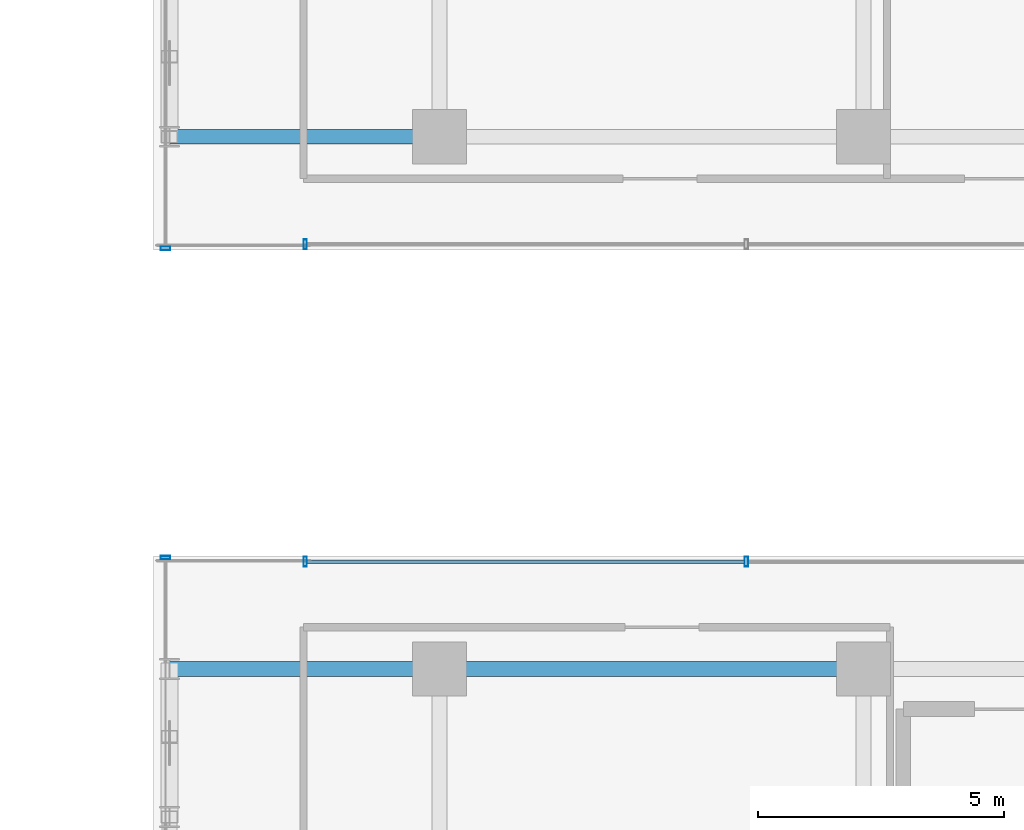
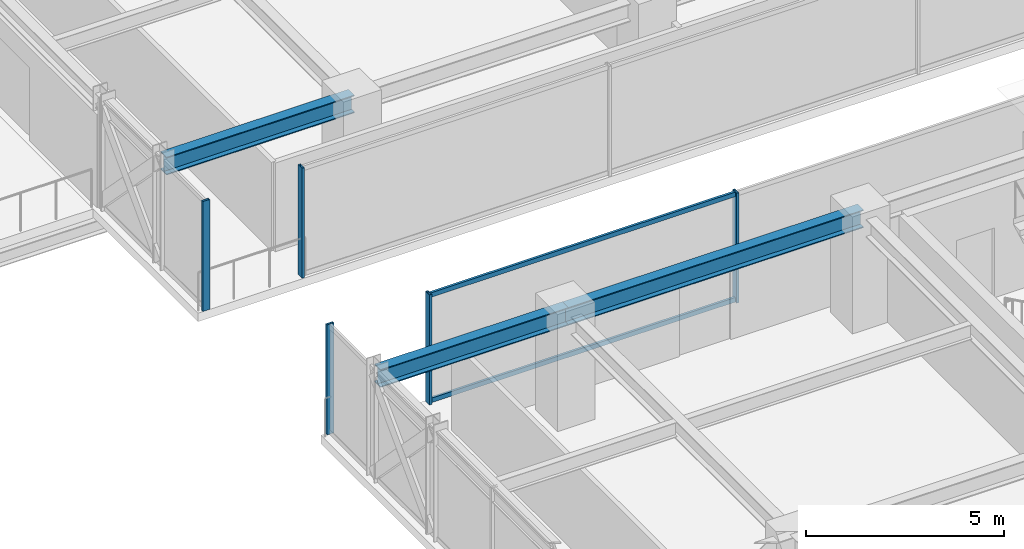
# One storey, part 8 of 37: 7 members, 3 beams, 4 elements without a shape of their own.
"""IFC4 building model written with IfcOpenShell, lengths in metres."""

import ifcopenshell
import ifcopenshell.guid

model = None  # the IFC model being written
_history = None  # IfcOwnerHistory: only IFC2X3 demands one
_inside = {}  # id of a spatial element -> (the spatial element, [elements in it])
_under = {}  # id of a project, library or spatial element -> (it, [spatial elements below it])
_declared = {}  # id of a project -> (the project, [libraries it declares])
_typed = {}  # id of a type object -> (the type object, [elements of that type])
_made_of = {}  # id of a material, layer set ... -> (it, [elements and type objects made of it])


def new_model(schema):
    """Start an empty IFC model of exactly this schema.

    Asked for "IFC4X3", IfcOpenShell would pick the latest addendum, in which some entities
    have other attributes; the version numbers below select the first issue.
    IFC2X3 requires an IfcOwnerHistory on every rooted entity: one is made here for all.
    """
    global model, _history
    if schema == "IFC4X3":
        model = ifcopenshell.file(schema_version=(4, 3, 0, 0))
    else:
        model = ifcopenshell.file(schema=schema)
    _inside.clear()
    _under.clear()
    _declared.clear()
    _typed.clear()
    _made_of.clear()
    _history = None
    if model.schema == "IFC2X3":
        org = make("IfcOrganization", Name="unknown")
        user = make(
            "IfcPersonAndOrganization",
            ThePerson=make("IfcPerson", FamilyName="unknown"),
            TheOrganization=org,
        )
        app = make(
            "IfcApplication",
            ApplicationDeveloper=org,
            Version="unknown",
            ApplicationFullName="unknown",
            ApplicationIdentifier="unknown",
        )
        _history = make(
            "IfcOwnerHistory",
            OwningUser=user,
            OwningApplication=app,
            ChangeAction="ADDED",
            CreationDate=0,
        )
    return model


def make(cls, **values):
    """One entity of the class cls with the attributes given. An attribute that is None is left unset."""
    return model.create_entity(
        cls, **{name: value for name, value in values.items() if value is not None}
    )


def rooted(cls, **values):
    """An entity with a GlobalId (a new one), such as an element, a storey or a relation."""
    return make(cls, GlobalId=ifcopenshell.guid.new(), OwnerHistory=_history, **values)


def si_unit(unit_type, name, prefix=None):
    """IfcSIUnit, for example si_unit("LENGTHUNIT", "METRE", prefix="MILLI")."""
    return make("IfcSIUnit", UnitType=unit_type, Prefix=prefix, Name=name)


def assignment(units):
    """IfcUnitAssignment: the units of a project."""
    return None if units is None else make("IfcUnitAssignment", Units=units)


def point(xyz):
    """IfcCartesianPoint."""
    return None if xyz is None else make("IfcCartesianPoint", Coordinates=xyz)


def direction(xyz):
    """IfcDirection."""
    return None if xyz is None else make("IfcDirection", DirectionRatios=xyz)


def frame(location, z_axis=None, x_axis=None):
    """IfcAxis2Placement3D, a coordinate frame: its origin and axes. An axis left out is left unset."""
    return make(
        "IfcAxis2Placement3D",
        Location=point(location),
        Axis=direction(z_axis),
        RefDirection=direction(x_axis),
    )


def frame_2d(location, x_axis=None):
    """IfcAxis2Placement2D, a coordinate frame in the plane: its origin and x axis."""
    return make(
        "IfcAxis2Placement2D", Location=point(location), RefDirection=direction(x_axis)
    )


def origin():
    """The frame at (0, 0, 0) with its axes left unset."""
    return frame((0.0, 0.0, 0.0))


def origin_2d():
    """The frame at (0, 0) in the plane with its x axis left unset."""
    return frame_2d((0.0, 0.0))


def place(relative_to, where):
    """IfcLocalPlacement: puts the frame where relative to a parent placement (None: the world)."""
    return make(
        "IfcLocalPlacement", PlacementRelTo=relative_to, RelativePlacement=where
    )


def context(
    kind, dimensions, precision=None, world=None, true_north=None, identifier=None
):
    """IfcGeometricRepresentationContext, for example the 3D "Model" context."""
    return make(
        "IfcGeometricRepresentationContext",
        ContextIdentifier=identifier,
        ContextType=kind,
        CoordinateSpaceDimension=dimensions,
        Precision=precision,
        WorldCoordinateSystem=world,
        TrueNorth=true_north,
    )


def subcontext(parent, identifier, kind, view, scale=None):
    """IfcGeometricRepresentationSubContext, for example "Body" below "Model"."""
    return make(
        "IfcGeometricRepresentationSubContext",
        ContextIdentifier=identifier,
        ContextType=kind,
        ParentContext=parent,
        TargetScale=scale,
        TargetView=view,
    )


def project(units=None, contexts=None):
    """IfcProject with its units and contexts."""
    return rooted(
        "IfcProject",
        Name="project",
        RepresentationContexts=contexts,
        UnitsInContext=assignment(units),
    )


def spatial(cls, under=None, at=None, **own):
    """A site, building, storey or space (cls), placed at a placement, below another one or the project."""
    s = rooted(cls, ObjectPlacement=at, **own)
    if under is not None:
        _under.setdefault(under.id(), (under, []))[1].append(s)
    return s


def profile(cls, at=None, kind="AREA", **sizes):
    """A parametric profile (cls). Its sizes go by their IFC names, for example OverallWidth=200.0."""
    return make(cls, ProfileType=kind, Position=at, **sizes)


def hollow_rectangle(**sizes):
    """IfcRectangleHollowProfileDef."""
    return profile("IfcRectangleHollowProfileDef", **sizes)


def i_section(**sizes):
    """IfcIShapeProfileDef."""
    return profile("IfcIShapeProfileDef", **sizes)


def extrude(swept, where, along, depth):
    """IfcExtrudedAreaSolid: the profile swept, set in the frame where, extruded along a direction by depth."""
    return make(
        "IfcExtrudedAreaSolid",
        SweptArea=swept,
        Position=where,
        ExtrudedDirection=direction(along),
        Depth=depth,
    )


def shape(context_of_items, identifier, shape_type, items):
    """IfcShapeRepresentation: the items that make up one representation, for example the "Body"."""
    return make(
        "IfcShapeRepresentation",
        ContextOfItems=context_of_items,
        RepresentationIdentifier=identifier,
        RepresentationType=shape_type,
        Items=items,
    )


def source(mapping_origin, context_of_items, identifier, shape_type, items):
    """IfcRepresentationMap: a shape defined once, which mapped items show again and again."""
    return make(
        "IfcRepresentationMap",
        MappingOrigin=mapping_origin,
        MappedRepresentation=shape(context_of_items, identifier, shape_type, items),
    )


def transform(
    local_origin,
    x_axis=None,
    y_axis=None,
    z_axis=None,
    scale=None,
    scale2=None,
    scale3=None,
    uniform=True,
):
    """IfcCartesianTransformationOperator3D, or its non-uniform kind. x_axis, y_axis, z_axis: its Axis1, 2, 3."""
    if uniform:
        return make(
            "IfcCartesianTransformationOperator3D",
            Axis1=direction(x_axis),
            Axis2=direction(y_axis),
            LocalOrigin=point(local_origin),
            Scale=scale,
            Axis3=direction(z_axis),
        )
    return make(
        "IfcCartesianTransformationOperator3DnonUniform",
        Axis1=direction(x_axis),
        Axis2=direction(y_axis),
        LocalOrigin=point(local_origin),
        Scale=scale,
        Axis3=direction(z_axis),
        Scale2=scale2,
        Scale3=scale3,
    )


def mapped(mapping_source, mapping_target):
    """IfcMappedItem: shows the shape of a source again, moved by a transform."""
    return make(
        "IfcMappedItem", MappingSource=mapping_source, MappingTarget=mapping_target
    )


def material(Name=None, Category=None):
    """IfcMaterial."""
    return make("IfcMaterial", Name=Name, Category=Category)


def material_profile(
    of_material, cross_section, Name=None, Category=None, Priority=None
):
    """IfcMaterialProfile: a cross section and its material."""
    return make(
        "IfcMaterialProfile",
        Name=Name,
        Material=of_material,
        Profile=cross_section,
        Priority=Priority,
        Category=Category,
    )


def profile_set(profiles, Name=None, composite=None):
    """IfcMaterialProfileSet."""
    return make(
        "IfcMaterialProfileSet",
        Name=Name,
        MaterialProfiles=profiles,
        CompositeProfile=composite,
    )


def made_of(thing, what):
    """Note that an element or type object is made of a material, layer set ...; save() writes the relation."""
    if what is not None:
        _made_of.setdefault(what.id(), (what, []))[1].append(thing)
    return thing


def type_object(cls, material=None, **own):
    """A type object (cls), such as IfcWallType, which elements share."""
    return made_of(rooted(cls, **own), material)


def element(
    cls,
    number,
    at=None,
    inside=None,
    cuts=None,
    type_object=None,
    material=None,
    context=None,
    identifier="Body",
    shape_type=None,
    held_by="IfcProductDefinitionShape",
    body=None,
    shapes=None,
    **own,
):
    """One element of the class cls, such as IfcWall. Its Tag is "e" and its number.

    at: its placement. inside: the storey or other place that contains it. cuts: it is an
    opening in that element (IfcRelVoidsElement). A single representation is given by context,
    identifier, shape_type and body (its items); several are given by shapes. held_by: the class
    of the entity that holds the representations. save() writes the other relations.
    """
    e = rooted(cls, Tag="e%d" % number, ObjectPlacement=at, **own)
    if body is not None:
        shapes = [shape(context, identifier, shape_type, body)]
    if shapes is not None:
        e.Representation = make(held_by, Representations=shapes)
    if inside is not None:
        _inside.setdefault(inside.id(), (inside, []))[1].append(e)
    if cuts is not None:
        rooted(
            "IfcRelVoidsElement", RelatingBuildingElement=cuts, RelatedOpeningElement=e
        )
    if type_object is not None:
        _typed.setdefault(type_object.id(), (type_object, []))[1].append(e)
    return made_of(e, material)


def aggregate(whole, parts):
    """IfcRelAggregates: a whole, such as a stair, and the parts it consists of."""
    return rooted("IfcRelAggregates", RelatingObject=whole, RelatedObjects=parts)


def save(model, path):
    """Write the relations noted so far, then the file.

    IfcRelAggregates (storeys below a building ...), IfcRelContainedInSpatialStructure (elements
    in a storey), IfcRelDefinesByType, IfcRelAssociatesMaterial and IfcRelDeclares: one each for
    every whole, place, type object, material and project.
    """
    for whole, parts in _under.values():
        aggregate(whole, parts)
    for where, things in _inside.values():
        rooted(
            "IfcRelContainedInSpatialStructure",
            RelatedElements=things,
            RelatingStructure=where,
        )
    for kind, things in _typed.values():
        rooted("IfcRelDefinesByType", RelatedObjects=things, RelatingType=kind)
    for what, things in _made_of.values():
        rooted("IfcRelAssociatesMaterial", RelatedObjects=things, RelatingMaterial=what)
    for by, libraries in _declared.values():
        rooted("IfcRelDeclares", RelatingContext=by, RelatedDefinitions=libraries)
    model.write(path)


model = new_model("IFC4")

# Units and contexts
model_context = context("Model", 3, precision=1e-05, world=origin(), true_north=direction((0.0, 1.0)))
body_context = subcontext(model_context, "Body", "Model", "MODEL_VIEW")
ifc_project = project(units=[si_unit("LENGTHUNIT", "METRE"), si_unit("AREAUNIT", "SQUARE_METRE"), si_unit("VOLUMEUNIT", "CUBIC_METRE"), si_unit("PLANEANGLEUNIT", "RADIAN"), si_unit("MASSUNIT", "GRAM", prefix="KILO")], contexts=[model_context])

# Site, building, storey
site_placement = place(None, origin())
site = spatial("IfcSite", under=ifc_project, at=site_placement, CompositionType="ELEMENT")
building_placement = place(site_placement, origin())
building = spatial("IfcBuilding", under=site, at=building_placement, Name="Nahalor Promenade Grand Hotel", CompositionType="ELEMENT")
storey_placement = place(building_placement, frame((0.0, 0.0, 167.25)))
storey = spatial("IfcBuildingStorey", under=building, at=storey_placement, Name="L42", CompositionType="ELEMENT", Elevation=167.25)

# Beams
ifc_material_1 = material(Name="Steel S355JR", Category="steel")
ifc_material_profile_1 = material_profile(ifc_material_1, i_section(OverallWidth=0.3, OverallDepth=0.55, WebThickness=0.015, FlangeThickness=0.029, at=origin_2d()), Name="HEB 550")
ifc_profile_set_1 = profile_set([ifc_material_profile_1], Name="Steel S355JR")
beam_type = type_object("IfcBeamType", Name="Beam-Girder-HEB550", PredefinedType="BEAM", material=ifc_profile_set_1)
shared_shape_1 = source(origin(), body_context, "Body", "SweptSolid", [
    extrude(i_section(OverallWidth=0.3, OverallDepth=0.55, WebThickness=0.015, FlangeThickness=0.029, at=origin_2d()), origin(), (0.0, 0.0, 1.0), 8.60009765625),
])
beam_placement = place(storey_placement, frame((-17.0, -5.39990234375, 3.114990234375), z_axis=(1.0, 0.0, 0.0), x_axis=(0.0, 1.0, 0.0)))
element("IfcBeam", 1, at=beam_placement, inside=storey, type_object=beam_type, Name="BM-L42-GX-1-1", PredefinedType="BEAM", context=body_context, shape_type="MappedRepresentation", body=[
    mapped(shared_shape_1, transform((0.0, 0.0, 0.0), scale=1.0)),
])
shared_shape_2 = source(origin(), body_context, "Body", "SweptSolid", [
    extrude(i_section(OverallWidth=0.3, OverallDepth=0.55, WebThickness=0.015, FlangeThickness=0.029, at=origin_2d()), origin(), (0.0, 0.0, 1.0), 5.47998046875),
])
for number, where, z_axis, x_axis, name in (
    (2, (-22.47998046875, -5.39990234375, 3.114990234375), (1.0, 0.0, 0.0), (0.0, 1.0, 0.0), "BM-L42-GX-1-0"),
    (3, (-22.47998046875, 5.39990234375, 3.114990234375), (1.0, 0.0, 0.0), (0.0, 1.0, 0.0), "BM-L42-GX-2-0"),
):
    element("IfcBeam", number, at=place(storey_placement, frame(where, z_axis=z_axis, x_axis=x_axis)), inside=storey, type_object=beam_type, Name=name, PredefinedType="BEAM", context=body_context, shape_type="MappedRepresentation", body=[
        mapped(shared_shape_2, transform((0.0, 0.0, 0.0), scale=1.0)),
    ])

# Curtain wall, members
ifc_material_2 = material(Name="Anodised Bronze Aluminium EN AW-6063 T6", Category="aluminium")
curtain_wall_type = type_object("IfcCurtainWallType", Name="CW3 Elliptical-Void Collar Unitised Curtain Wall", PredefinedType="USERDEFINED", material=ifc_material_2)
curtain_wall_1_placement = place(storey_placement, origin())
curtain_wall_1 = element("IfcCurtainWall", 4, at=curtain_wall_1_placement, inside=storey, type_object=curtain_wall_type, Name="L42 Curtain Wall CW-L42-VOID-WS1", ObjectType="UNITISED_CURTAIN_WALL", PredefinedType="USERDEFINED")
ifc_material_profile_2 = material_profile(ifc_material_2, hollow_rectangle(XDim=0.07, YDim=0.14, WallThickness=0.004, at=origin_2d()), Name="CWT 70x140x4")
ifc_profile_set_2 = profile_set([ifc_material_profile_2], Name="Anodised Bronze Aluminium EN AW-6063 T6")
member_type_1 = type_object("IfcMemberType", Name="CWT3 Void Collar Transom 70x140", PredefinedType="USERDEFINED", material=ifc_profile_set_2)
shared_shape_3 = source(origin(), body_context, "Body", "SweptSolid", [
    extrude(hollow_rectangle(XDim=0.07, YDim=0.14, WallThickness=0.004, at=origin_2d()), origin(), (0.0, 0.0, 1.0), 8.881591796875),
])
member_1_placement = place(storey_placement, frame((-19.68994140625, -3.219970703125, 0.070068359375), z_axis=(1.0, 0.0, 0.0), x_axis=(0.0, 1.0, 0.0)))
member_1 = element("IfcMember", 5, at=member_1_placement, type_object=member_type_1, Name="CW-L42-VOID-WS1 Transom 0-0", ObjectType="TRANSOM", PredefinedType="USERDEFINED", context=body_context, shape_type="MappedRepresentation", body=[
    mapped(shared_shape_3, transform((0.0, 0.0, 0.0), scale=1.0)),
])
member_2_placement = place(storey_placement, frame((-19.68994140625, -3.219970703125, 3.320068359375), z_axis=(1.0, 0.0, 0.0), x_axis=(0.0, 1.0, 0.0)))
member_2 = element("IfcMember", 6, at=member_2_placement, type_object=member_type_1, Name="CW-L42-VOID-WS1 Transom 0-1", ObjectType="TRANSOM", PredefinedType="USERDEFINED", context=body_context, shape_type="MappedRepresentation", body=[
    mapped(shared_shape_3, transform((0.0, 0.0, 0.0), scale=1.0)),
])

# Curtain wall, member
curtain_wall_2_placement = place(storey_placement, origin())
curtain_wall_2 = element("IfcCurtainWall", 7, at=curtain_wall_2_placement, inside=storey, type_object=curtain_wall_type, Name="L42 Curtain Wall CW-L42-W-1", ObjectType="UNITISED_CURTAIN_WALL", PredefinedType="USERDEFINED")
ifc_material_profile_3 = material_profile(ifc_material_2, hollow_rectangle(XDim=0.07, YDim=0.2, WallThickness=0.005, at=origin_2d()), Name="CWM 70x200x5")
ifc_profile_set_3 = profile_set([ifc_material_profile_3], Name="Anodised Bronze Aluminium EN AW-6063 T6")
member_type_2 = type_object("IfcMemberType", Name="CWM3 Void Collar Mullion 70x200", PredefinedType="MULLION", material=ifc_profile_set_3)
shared_shape_4 = source(origin(), body_context, "Body", "SweptSolid", [
    extrude(hollow_rectangle(XDim=0.07, YDim=0.2, WallThickness=0.005, at=origin_2d()), origin(), (0.0, 0.0, 1.0), 3.389892578125),
])
member_3_placement = place(storey_placement, frame((-22.56005859375, -3.135009765625, 0.0), z_axis=(0.0, 0.0, 1.0), x_axis=(0.0, 1.0, 0.0)))
member_3 = element("IfcMember", 8, at=member_3_placement, type_object=member_type_2, Name="CW-L42-W-1 Mullion 2", PredefinedType="MULLION", context=body_context, shape_type="MappedRepresentation", body=[
    mapped(shared_shape_4, transform((0.0, 0.0, 0.0), scale=1.0)),
])
aggregate(curtain_wall_2, [member_3])

curtain_wall_3_placement = place(storey_placement, origin())
curtain_wall_3 = element("IfcCurtainWall", 9, at=curtain_wall_3_placement, inside=storey, type_object=curtain_wall_type, Name="L42 Curtain Wall CW-L42-W-2", ObjectType="UNITISED_CURTAIN_WALL", PredefinedType="USERDEFINED")
member_4_placement = place(storey_placement, frame((-22.56005859375, 3.135009765625, 0.0), z_axis=(0.0, 0.0, 1.0), x_axis=(0.0, 1.0, 0.0)))
member_4 = element("IfcMember", 10, at=member_4_placement, type_object=member_type_2, Name="CW-L42-W-2 Mullion 0", PredefinedType="MULLION", context=body_context, shape_type="MappedRepresentation", body=[
    mapped(shared_shape_4, transform((0.0, 0.0, 0.0), scale=1.0)),
])
aggregate(curtain_wall_3, [member_4])

# Member
member_5_placement = place(storey_placement, frame((-19.72509765625, -3.219970703125, 0.0), z_axis=(0.0, 0.0, 1.0), x_axis=(1.0, 0.0, 0.0)))
member_5 = element("IfcMember", 11, at=member_5_placement, type_object=member_type_2, Name="CW-L42-VOID-WS1 Mullion 0", PredefinedType="MULLION", context=body_context, shape_type="MappedRepresentation", body=[
    mapped(shared_shape_4, transform((0.0, 0.0, 0.0), scale=1.0)),
])

member_6_placement = place(storey_placement, frame((-10.7734375, -3.219970703125, 0.0), z_axis=(0.0, 0.0, 1.0), x_axis=(1.0, 0.0, 0.0)))
member_6 = element("IfcMember", 12, at=member_6_placement, type_object=member_type_2, Name="CW-L42-VOID-WS1 Mullion 1", PredefinedType="MULLION", context=body_context, shape_type="MappedRepresentation", body=[
    mapped(shared_shape_4, transform((0.0, 0.0, 0.0), scale=1.0)),
])

aggregate(curtain_wall_1, [member_5, member_6, member_1, member_2])

# Curtain wall, member
curtain_wall_4_placement = place(storey_placement, origin())
curtain_wall_4 = element("IfcCurtainWall", 13, at=curtain_wall_4_placement, inside=storey, type_object=curtain_wall_type, Name="L42 Curtain Wall CW-L42-VOID-WN1", ObjectType="UNITISED_CURTAIN_WALL", PredefinedType="USERDEFINED")
member_7_placement = place(storey_placement, frame((-19.72509765625, 3.219970703125, 0.0), z_axis=(0.0, 0.0, 1.0), x_axis=(1.0, 0.0, 0.0)))
member_7 = element("IfcMember", 14, at=member_7_placement, type_object=member_type_2, Name="CW-L42-VOID-WN1 Mullion 0", PredefinedType="MULLION", context=body_context, shape_type="MappedRepresentation", body=[
    mapped(shared_shape_4, transform((0.0, 0.0, 0.0), scale=1.0)),
])
aggregate(curtain_wall_4, [member_7])

save(model, "model.ifc")
